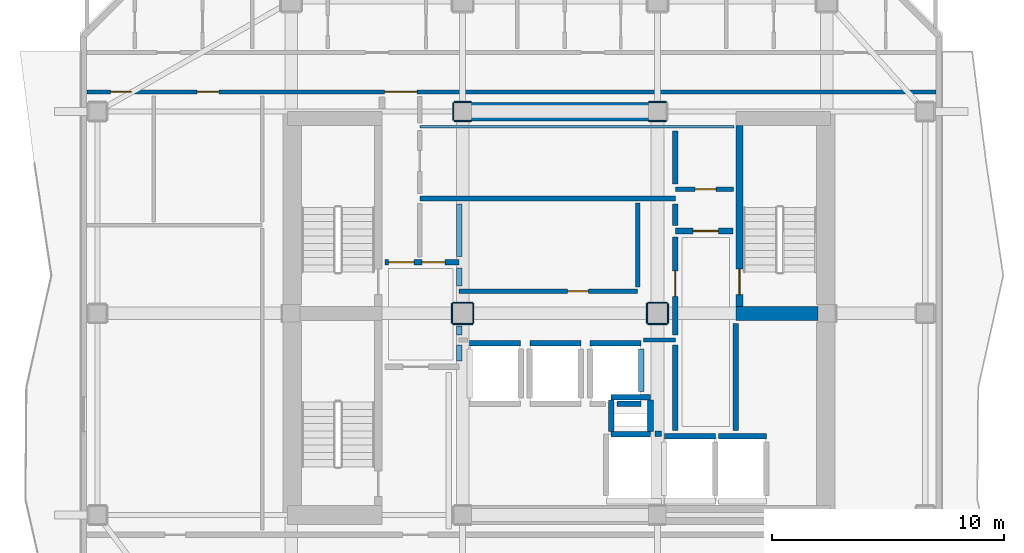
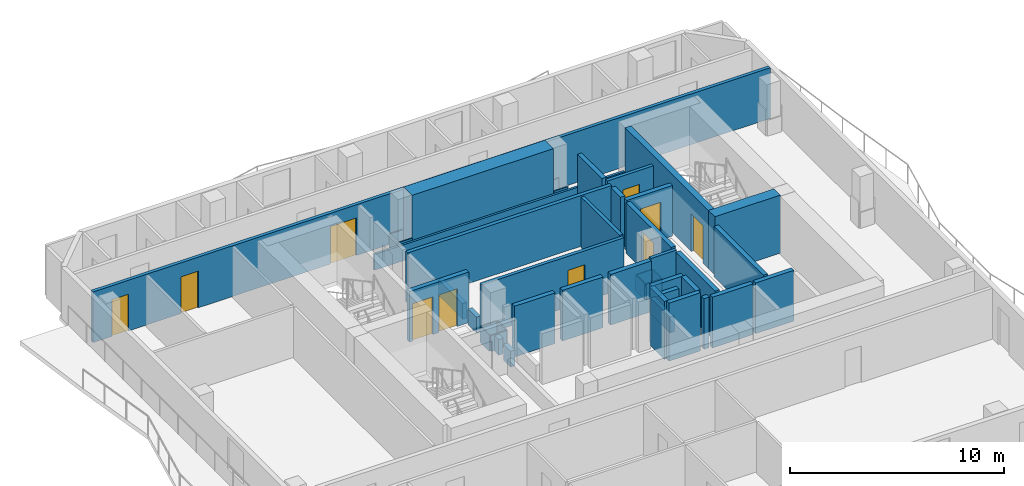
# One storey, part 4 of 10: 46 walls, 10 doors, 10 openings.
"""IFC4 building model written with IfcOpenShell, lengths in metres."""

from ifc_helpers import new_model, si_unit, direction, frame, frame_2d, origin, place, context, subcontext, project, spatial, rectangle, extrude, material, layer, layer_set, type_object, element, fill, save


model = new_model("IFC4")

# Units and contexts
model_context = context("Model", 3, precision=1e-05, world=origin(), true_north=direction((0.0, 1.0)))
body_context = subcontext(model_context, "Body", "Model", "MODEL_VIEW")
ifc_project = project(units=[si_unit("LENGTHUNIT", "METRE"), si_unit("AREAUNIT", "SQUARE_METRE"), si_unit("VOLUMEUNIT", "CUBIC_METRE"), si_unit("PLANEANGLEUNIT", "RADIAN"), si_unit("MASSUNIT", "GRAM", prefix="KILO")], contexts=[model_context])

# Site, building, storey
site_placement = place(None, origin())
site = spatial("IfcSite", under=ifc_project, at=site_placement, CompositionType="ELEMENT")
building_placement = place(site_placement, origin())
building = spatial("IfcBuilding", under=site, at=building_placement, Name="Solanera Arch Residences", CompositionType="ELEMENT")
storey_placement = place(building_placement, frame((0.0, 0.0, 206.760009765625)))
storey = spatial("IfcBuildingStorey", under=building, at=storey_placement, Name="L60", CompositionType="ELEMENT", Elevation=206.760009765625)

# Walls
ifc_material_1 = material(Name="Fire-Rated Gypsum Stud Partition", Category="gypsum")
ifc_layer_1 = layer(ifc_material_1, 0.06005859375)
ifc_layer_set_1 = layer_set([ifc_layer_1], Name="Fire-Rated Gypsum Stud Partition")
wall_type_1 = type_object("IfcWallType", Name="Column Acoustic Furring Wall 60", PredefinedType="PARTITIONING", material=ifc_layer_set_1)
for number, where, z_axis, x_axis, name in (
    (1, (20.425048828125, 38.992919921875, 0.0), (0.0, 0.0, 1.0), (1.0, 0.0, 0.0), "L60 Column Furring 3S"),
    (2, (20.425048828125, 39.806884765625, 0.0), (0.0, 0.0, 1.0), (1.0, 0.0, 0.0), "L60 Column Furring 3N"),
):
    element("IfcWall", number, at=place(storey_placement, frame(where, z_axis=z_axis, x_axis=x_axis)), inside=storey, type_object=wall_type_1, Name=name, PredefinedType="PARTITIONING", context=body_context, shape_type="SweptSolid", body=[
        extrude(rectangle(XDim=0.741943359375, YDim=0.06005859375, at=frame_2d((0.37109375, 0.0))), origin(), (0.0, 0.0, 1.0), 0.905029296875),
    ])
wall_1_placement = place(storey_placement, frame((20.39306640625, 39.02490234375, 0.0), z_axis=(0.0, 0.0, 1.0), x_axis=(0.0, 1.0, 0.0)))
element("IfcWall", 3, at=wall_1_placement, inside=storey, type_object=wall_type_1, Name="L60 Column Furring 3W", PredefinedType="PARTITIONING", context=body_context, shape_type="SweptSolid", body=[
    extrude(rectangle(XDim=0.75, YDim=0.06005859375, at=frame_2d((0.375, 0.0))), origin(), (0.0, 0.0, 1.0), 0.905029296875),
])
for number, where, z_axis, x_axis, name in (
    (4, (28.8330078125, 38.992919921875, 0.0), (0.0, 0.0, 1.0), (1.0, 0.0, 0.0), "L60 Column Furring 4S"),
    (5, (28.8330078125, 39.806884765625, 0.0), (0.0, 0.0, 1.0), (1.0, 0.0, 0.0), "L60 Column Furring 4N"),
):
    element("IfcWall", number, at=place(storey_placement, frame(where, z_axis=z_axis, x_axis=x_axis)), inside=storey, type_object=wall_type_1, Name=name, PredefinedType="PARTITIONING", context=body_context, shape_type="SweptSolid", body=[
        extrude(rectangle(XDim=0.741943359375, YDim=0.06005859375, at=frame_2d((0.37109375, 0.0))), origin(), (0.0, 0.0, 1.0), 0.905029296875),
    ])
for number, where, z_axis, x_axis, name in (
    (6, (20.375, 30.242919921875, 0.0), (0.0, 0.0, 1.0), (1.0, 0.0, 0.0), "L60 Column Furring 7S"),
    (7, (20.375, 31.156982421875, 0.0), (0.0, 0.0, 1.0), (1.0, 0.0, 0.0), "L60 Column Furring 7N"),
    (8, (20.343017578125, 30.27490234375, 0.0), (0.0, 0.0, 1.0), (0.0, 1.0, 0.0), "L60 Column Furring 7W"),
    (9, (21.257080078125, 30.27490234375, 0.0), (0.0, 0.0, 1.0), (0.0, 1.0, 0.0), "L60 Column Furring 7E"),
    (10, (28.77490234375, 30.242919921875, 0.0), (0.0, 0.0, 1.0), (1.0, 0.0, 0.0), "L60 Column Furring 8S"),
):
    element("IfcWall", number, at=place(storey_placement, frame(where, z_axis=z_axis, x_axis=x_axis)), inside=storey, type_object=wall_type_1, Name=name, PredefinedType="PARTITIONING", context=body_context, shape_type="SweptSolid", body=[
        extrude(rectangle(XDim=0.85009765625, YDim=0.06005859375, at=frame_2d((0.425048828125, 0.0))), origin(), (0.0, 0.0, 1.0), 0.905029296875),
    ])
wall_2_placement = place(storey_placement, frame((28.77490234375, 31.156982421875, 0.0), z_axis=(0.0, 0.0, 1.0), x_axis=(1.0, 0.0, 0.0)))
element("IfcWall", 11, at=wall_2_placement, inside=storey, type_object=wall_type_1, Name="L60 Column Furring 8N", PredefinedType="PARTITIONING", context=body_context, shape_type="SweptSolid", body=[
    extrude(rectangle(XDim=0.843017578125, YDim=0.06005859375, at=frame_2d((0.42138671875, 0.0))), origin(), (0.0, 0.0, 1.0), 0.905029296875),
])
wall_3_placement = place(storey_placement, frame((28.742919921875, 30.27490234375, 0.0), z_axis=(0.0, 0.0, 1.0), x_axis=(0.0, 1.0, 0.0)))
element("IfcWall", 12, at=wall_3_placement, inside=storey, type_object=wall_type_1, Name="L60 Column Furring 8W", PredefinedType="PARTITIONING", context=body_context, shape_type="SweptSolid", body=[
    extrude(rectangle(XDim=0.85009765625, YDim=0.06005859375, at=frame_2d((0.425048828125, 0.0))), origin(), (0.0, 0.0, 1.0), 0.905029296875),
])
wall_4_placement = place(storey_placement, frame((29.656982421875, 30.27490234375, 0.0), z_axis=(0.0, 0.0, 1.0), x_axis=(0.0, 1.0, 0.0)))
element("IfcWall", 13, at=wall_4_placement, inside=storey, type_object=wall_type_1, Name="L60 Column Furring 8E", PredefinedType="PARTITIONING", context=body_context, shape_type="SweptSolid", body=[
    extrude(rectangle(XDim=0.837158203125, YDim=0.06005859375, at=frame_2d((0.41845703125, 0.0))), origin(), (0.0, 0.0, 1.0), 0.905029296875),
])

# Wall, opening, door
ifc_material_2 = material(Name="Concrete C40/50 (f'c = 45 MPa)", Category="concrete")
ifc_layer_2 = layer(ifc_material_2, 0.320068359375)
ifc_layer_set_2 = layer_set([ifc_layer_2], Name="Concrete C40/50 (f'c = 45 MPa)")
wall_type_2 = type_object("IfcWallType", Name="Core Shear Wall CW-320", PredefinedType="SHEAR", material=ifc_layer_set_2)
wall_5_placement = place(storey_placement, frame((32.739990234375, 31.0, 0.0), z_axis=(0.0, 0.0, 1.0), x_axis=(0.0, 1.0, 0.0)))
wall_5 = element("IfcWall", 14, at=wall_5_placement, inside=storey, type_object=wall_type_2, Name="L60 Stair ST-T2 West Shear Wall", PredefinedType="SHEAR", context=body_context, shape_type="SweptSolid", body=[
    extrude(rectangle(XDim=7.800048828125, YDim=0.320068359375, at=frame_2d((3.89990234375, 0.0))), origin(), (0.0, 0.0, 1.0), 3.320068359375),
])
opening_1_placement = place(wall_5_placement, frame((0.510009765625, 0.0, 0.0)))
opening_1 = element("IfcOpeningElement", 15, at=opening_1_placement, cuts=wall_5, Name="Opening DF-01", PredefinedType="OPENING", context=body_context, shape_type="SweptSolid", body=[
    extrude(rectangle(XDim=1.10009765625, YDim=2.14990234375, at=frame_2d((0.550048828125, 1.074951171875))), frame((0.0, 0.169921875, 0.0), z_axis=(0.0, -1.0, 0.0), x_axis=(1.0, 0.0, 0.0)), (0.0, 0.0, 1.0), 0.3401),
])
ifc_material_3 = material(Name="Fire-Rated Architectural Hardwood", Category="wood")
door_type_1 = type_object("IfcDoorType", Name="Stair Exit Fire Door DF-01", OperationType="NOTDEFINED", PredefinedType="DOOR", material=ifc_material_3)
door_1_placement = place(opening_1_placement, origin())
door_1 = element("IfcDoor", 16, at=door_1_placement, inside=storey, type_object=door_type_1, Name="DR-L60-STAIR-ST-T2", OperationType="SINGLE_SWING_LEFT", OverallHeight=2.14990234375, OverallWidth=1.10009765625, PredefinedType="DOOR", context=body_context, shape_type="SweptSolid", body=[
    extrude(rectangle(XDim=1.10009765625, YDim=2.14990234375, at=frame_2d((0.550048828125, 1.074951171875))), frame((0.0, 0.02490234375, 0.0), z_axis=(0.0, -1.0, 0.0), x_axis=(1.0, 0.0, 0.0)), (0.0, 0.0, 1.0), 0.050048828125),
])
fill(opening_1, door_1)

# Walls
ifc_material_4 = material(Name="Concrete C40/50 (f'c = 45 MPa)", Category="concrete")
ifc_layer_3 = layer(ifc_material_4, 0.60009765625)
ifc_layer_set_3 = layer_set([ifc_layer_3], Name="Concrete C40/50 (f'c = 45 MPa)")
wall_type_3 = type_object("IfcWallType", Name="Core Shear Wall CW-600", PredefinedType="SHEAR", material=ifc_layer_set_3)
wall_6_placement = place(storey_placement, frame((32.580078125, 30.699951171875, 0.0), z_axis=(0.0, 0.0, 1.0), x_axis=(1.0, 0.0, 0.0)))
element("IfcWall", 17, at=wall_6_placement, inside=storey, type_object=wall_type_3, Name="L60 East Stair Far-Landing Shear Wall", PredefinedType="SHEAR", context=body_context, shape_type="SweptSolid", body=[
    extrude(rectangle(XDim=3.5400390625, YDim=0.60009765625, at=frame_2d((1.77001953125, 0.0))), origin(), (0.0, 0.0, 1.0), 3.320068359375),
])
ifc_material_5 = material(Name="Concrete C40/50 (f'c = 45 MPa)", Category="concrete")
ifc_layer_4 = layer(ifc_material_5, 0.800048828125)
ifc_layer_set_4 = layer_set([ifc_layer_4], Name="Concrete C40/50 (f'c = 45 MPa)")
wall_type_4 = type_object("IfcWallType", Name="Core Shear Wall CW-800", PredefinedType="SHEAR", material=ifc_layer_set_4)
wall_7_placement = place(storey_placement, frame((21.179931640625, 39.39990234375, 0.0), z_axis=(0.0, 0.0, 1.0), x_axis=(1.0, 0.0, 0.0)))
element("IfcWall", 18, at=wall_7_placement, inside=storey, type_object=wall_type_4, Name="L60 Central North Core Shear Wall", PredefinedType="SHEAR", context=body_context, shape_type="SweptSolid", body=[
    extrude(rectangle(XDim=7.64013671875, YDim=0.800048828125, at=frame_2d((3.820068359375, 0.0))), origin(), (0.0, 0.0, 1.0), 3.320068359375),
])
ifc_material_6 = material(Name="Autoclaved Aerated Concrete Blockwork", Category="masonry")
ifc_layer_5 = layer(ifc_material_6, 0.179931640625)
ifc_layer_set_5 = layer_set([ifc_layer_5], Name="Autoclaved Aerated Concrete Blockwork")
wall_type_5 = type_object("IfcWallType", Name="Corridor Fire Partition 180", PredefinedType="PARTITIONING", material=ifc_layer_set_5)
wall_8_placement = place(storey_placement, frame((28.593017578125, 29.550048828125, 0.0), z_axis=(0.0, 0.0, 1.0), x_axis=(1.0, 0.0, 0.0)))
element("IfcWall", 19, at=wall_8_placement, inside=storey, type_object=wall_type_5, Name="L60 Interior Partition H8 2", PredefinedType="PARTITIONING", context=body_context, shape_type="SweptSolid", body=[
    extrude(rectangle(XDim=1.382080078125, YDim=0.179931640625, at=frame_2d((0.69091796875, 0.0))), origin(), (0.0, 0.0, 1.0), 2.89990234375),
])

# Wall, opening, door
wall_9_placement = place(storey_placement, frame((20.64990234375, 31.64990234375, 0.0), z_axis=(0.0, 0.0, 1.0), x_axis=(1.0, 0.0, 0.0)))
wall_9 = element("IfcWall", 20, at=wall_9_placement, inside=storey, type_object=wall_type_5, Name="L60 Interior Partition H9", PredefinedType="PARTITIONING", context=body_context, shape_type="SweptSolid", body=[
    extrude(rectangle(XDim=7.7001953125, YDim=0.179931640625, at=frame_2d((3.85009765625, 0.0))), origin(), (0.0, 0.0, 1.0), 2.89990234375),
])
opening_2_placement = place(wall_9_placement, frame((4.673095703125, 0.0, 0.0)))
opening_2 = element("IfcOpeningElement", 21, at=opening_2_placement, cuts=wall_9, Name="Opening DI-02", PredefinedType="OPENING", context=body_context, shape_type="SweptSolid", body=[
    extrude(rectangle(XDim=0.89990234375, YDim=2.10009765625, at=frame_2d((0.449951171875, 1.050048828125))), frame((0.0, 0.10009765625, 0.0), z_axis=(0.0, -1.0, 0.0), x_axis=(1.0, 0.0, 0.0)), (0.0, 0.0, 1.0), 0.1999),
])
ifc_material_7 = material(Name="Fire-Rated Architectural Hardwood", Category="wood")
door_type_2 = type_object("IfcDoorType", Name="Suite Room Swing Door DI-02", OperationType="NOTDEFINED", PredefinedType="DOOR", material=ifc_material_7)
door_2_placement = place(opening_2_placement, origin())
door_2 = element("IfcDoor", 22, at=door_2_placement, inside=storey, type_object=door_type_2, Name="DR-L60-IN-013", OperationType="SINGLE_SWING_RIGHT", OverallHeight=2.10009765625, OverallWidth=0.89990234375, PredefinedType="DOOR", context=body_context, shape_type="SweptSolid", body=[
    extrude(rectangle(XDim=0.89990234375, YDim=2.10009765625, at=frame_2d((0.449951171875, 1.050048828125))), frame((0.0, 0.02490234375, 0.0), z_axis=(0.0, -1.0, 0.0), x_axis=(1.0, 0.0, 0.0)), (0.0, 0.0, 1.0), 0.050048828125),
])
fill(opening_2, door_2)

wall_10_placement = place(storey_placement, frame((29.97509765625, 36.050048828125, 0.0), z_axis=(0.0, 0.0, 1.0), x_axis=(1.0, 0.0, 0.0)))
wall_10 = element("IfcWall", 23, at=wall_10_placement, inside=storey, type_object=wall_type_5, Name="L60 Interior Partition H10", PredefinedType="PARTITIONING", context=body_context, shape_type="SweptSolid", body=[
    extrude(rectangle(XDim=2.5048828125, YDim=0.179931640625, at=frame_2d((1.25244140625, 0.0))), origin(), (0.0, 0.0, 1.0), 2.89990234375),
])
opening_3_placement = place(wall_10_placement, frame((0.85205078125, 0.0, 0.0)))
opening_3 = element("IfcOpeningElement", 24, at=opening_3_placement, cuts=wall_10, Name="Opening DI-02", PredefinedType="OPENING", context=body_context, shape_type="SweptSolid", body=[
    extrude(rectangle(XDim=0.89990234375, YDim=2.10009765625, at=frame_2d((0.449951171875, 1.050048828125))), frame((0.0, 0.10009765625, 0.0), z_axis=(0.0, -1.0, 0.0), x_axis=(1.0, 0.0, 0.0)), (0.0, 0.0, 1.0), 0.1999),
])
door_3_placement = place(opening_3_placement, origin())
door_3 = element("IfcDoor", 25, at=door_3_placement, inside=storey, type_object=door_type_2, Name="DR-L60-IN-011", OperationType="SINGLE_SWING_RIGHT", OverallHeight=2.10009765625, OverallWidth=0.89990234375, PredefinedType="DOOR", context=body_context, shape_type="SweptSolid", body=[
    extrude(rectangle(XDim=0.89990234375, YDim=2.10009765625, at=frame_2d((0.449951171875, 1.050048828125))), frame((0.0, 0.02490234375, 0.0), z_axis=(0.0, -1.0, 0.0), x_axis=(1.0, 0.0, 0.0)), (0.0, 0.0, 1.0), 0.050048828125),
])
fill(opening_3, door_3)

# Wall, openings, doors
wall_11_placement = place(storey_placement, frame((4.5869140625, 40.25, 0.0), z_axis=(0.0, 0.0, 1.0), x_axis=(1.0, 0.0, 0.0)))
wall_11 = element("IfcWall", 26, at=wall_11_placement, inside=storey, type_object=wall_type_5, Name="L60 Interior Partition H11", PredefinedType="PARTITIONING", context=body_context, shape_type="SweptSolid", body=[
    extrude(rectangle(XDim=36.6259765625, YDim=0.179931640625, at=frame_2d((18.31298828125, 0.0))), origin(), (0.0, 0.0, 1.0), 2.89990234375),
])
opening_4_placement = place(wall_11_placement, frame((12.847900390625, 0.0, 0.0)))
opening_4 = element("IfcOpeningElement", 27, at=opening_4_placement, cuts=wall_11, Name="Opening DF-03", PredefinedType="OPENING", context=body_context, shape_type="SweptSolid", body=[
    extrude(rectangle(XDim=1.39990234375, YDim=2.14990234375, at=frame_2d((0.699951171875, 1.074951171875))), frame((0.0, 0.10009765625, 0.0), z_axis=(0.0, -1.0, 0.0), x_axis=(1.0, 0.0, 0.0)), (0.0, 0.0, 1.0), 0.1999),
])
opening_5_placement = place(wall_11_placement, frame((1.02099609375, 0.0, 0.0)))
opening_5 = element("IfcOpeningElement", 28, at=opening_5_placement, cuts=wall_11, Name="Opening DI-02", PredefinedType="OPENING", context=body_context, shape_type="SweptSolid", body=[
    extrude(rectangle(XDim=0.89990234375, YDim=2.10009765625, at=frame_2d((0.449951171875, 1.050048828125))), frame((0.0, 0.10009765625, 0.0), z_axis=(0.0, -1.0, 0.0), x_axis=(1.0, 0.0, 0.0)), (0.0, 0.0, 1.0), 0.1999),
])
opening_6_placement = place(wall_11_placement, frame((4.748046875, 0.0, 0.0)))
opening_6 = element("IfcOpeningElement", 29, at=opening_6_placement, cuts=wall_11, Name="Opening DI-04", PredefinedType="OPENING", context=body_context, shape_type="SweptSolid", body=[
    extrude(rectangle(XDim=0.949951171875, YDim=2.10009765625, at=frame_2d((0.47509765625, 1.050048828125))), frame((0.0, 0.10009765625, 0.0), z_axis=(0.0, -1.0, 0.0), x_axis=(1.0, 0.0, 0.0)), (0.0, 0.0, 1.0), 0.1999),
])
ifc_material_8 = material(Name="Fire-Rated Architectural Hardwood", Category="wood")
door_type_3 = type_object("IfcDoorType", Name="Accessible Restroom Door DI-04", OperationType="NOTDEFINED", PredefinedType="DOOR", material=ifc_material_8)
door_4_placement = place(opening_6_placement, origin())
door_4 = element("IfcDoor", 30, at=door_4_placement, inside=storey, type_object=door_type_3, Name="DR-L60-IN-036", OperationType="SINGLE_SWING_LEFT", OverallHeight=2.10009765625, OverallWidth=0.949951171875, PredefinedType="DOOR", context=body_context, shape_type="SweptSolid", body=[
    extrude(rectangle(XDim=0.949951171875, YDim=2.10009765625, at=frame_2d((0.47509765625, 1.050048828125))), frame((0.0, 0.02490234375, 0.0), z_axis=(0.0, -1.0, 0.0), x_axis=(1.0, 0.0, 0.0)), (0.0, 0.0, 1.0), 0.050048828125),
])
fill(opening_6, door_4)
ifc_material_9 = material(Name="Fire-Rated Architectural Hardwood", Category="wood")
door_type_4 = type_object("IfcDoorType", Name="Corridor Smoke Door DF-03", OperationType="NOTDEFINED", PredefinedType="DOOR", material=ifc_material_9)
door_5_placement = place(opening_4_placement, origin())
door_5 = element("IfcDoor", 31, at=door_5_placement, inside=storey, type_object=door_type_4, Name="DR-L60-IN-009", OperationType="SINGLE_SWING_RIGHT", OverallHeight=2.14990234375, OverallWidth=1.39990234375, PredefinedType="DOOR", context=body_context, shape_type="SweptSolid", body=[
    extrude(rectangle(XDim=1.39990234375, YDim=2.14990234375, at=frame_2d((0.699951171875, 1.074951171875))), frame((0.0, 0.02490234375, 0.0), z_axis=(0.0, -1.0, 0.0), x_axis=(1.0, 0.0, 0.0)), (0.0, 0.0, 1.0), 0.050048828125),
])
fill(opening_4, door_5)
door_6_placement = place(opening_5_placement, origin())
door_6 = element("IfcDoor", 32, at=door_6_placement, inside=storey, type_object=door_type_2, Name="DR-L60-IN-035", OperationType="SINGLE_SWING_RIGHT", OverallHeight=2.10009765625, OverallWidth=0.89990234375, PredefinedType="DOOR", context=body_context, shape_type="SweptSolid", body=[
    extrude(rectangle(XDim=0.89990234375, YDim=2.10009765625, at=frame_2d((0.449951171875, 1.050048828125))), frame((0.0, 0.02490234375, 0.0), z_axis=(0.0, -1.0, 0.0), x_axis=(1.0, 0.0, 0.0)), (0.0, 0.0, 1.0), 0.050048828125),
])
fill(opening_5, door_6)

# Walls
wall_12_placement = place(storey_placement, frame((28.35009765625, 31.837890625, 0.0), z_axis=(0.0, 0.0, 1.0), x_axis=(0.0, 1.0, 0.0)))
element("IfcWall", 33, at=wall_12_placement, inside=storey, type_object=wall_type_5, Name="L60 Interior Partition V8", PredefinedType="PARTITIONING", context=body_context, shape_type="SweptSolid", body=[
    extrude(rectangle(XDim=3.614013671875, YDim=0.179931640625, at=frame_2d((1.80712890625, 0.0))), origin(), (0.0, 0.0, 1.0), 2.89990234375),
])
ifc_material_10 = material(Name="Autoclaved Aerated Concrete Blockwork", Category="masonry")
ifc_layer_6 = layer(ifc_material_10, 0.199951171875)
ifc_layer_set_6 = layer_set([ifc_layer_6], Name="Autoclaved Aerated Concrete Blockwork")
wall_type_6 = type_object("IfcWallType", Name="Party Wall Acoustic 200", PredefinedType="PARTITIONING", material=ifc_layer_set_6)
wall_13_placement = place(storey_placement, frame((18.949951171875, 35.64990234375, 0.0), z_axis=(0.0, 0.0, 1.0), x_axis=(1.0, 0.0, 0.0)))
element("IfcWall", 34, at=wall_13_placement, inside=storey, type_object=wall_type_6, Name="L60 Interior Partition H6", PredefinedType="PARTITIONING", context=body_context, shape_type="SweptSolid", body=[
    extrude(rectangle(XDim=11.025146484375, YDim=0.199951171875, at=frame_2d((5.5126953125, 0.0))), origin(), (0.0, 0.0, 1.0), 2.89990234375),
])
ifc_material_11 = material(Name="Concrete C40/50 (f'c = 45 MPa)", Category="concrete")
ifc_layer_7 = layer(ifc_material_11, 0.239990234375)
ifc_layer_set_7 = layer_set([ifc_layer_7], Name="Concrete C40/50 (f'c = 45 MPa)")
wall_type_7 = type_object("IfcWallType", Name="Ramp Bearing Shear Wall RW-240", PredefinedType="SHEAR", material=ifc_layer_set_7)
for number, where, z_axis, x_axis, name in (
    (35, (27.199951171875, 25.47998046875, 0.0), (0.0, 0.0, 1.0), (1.0, 0.0, 0.0), "L60 Core MEP Riser South Shaft Wall"),
    (36, (27.199951171875, 27.080078125, 0.0), (0.0, 0.0, 1.0), (1.0, 0.0, 0.0), "L60 Core MEP Riser North Shaft Wall"),
):
    element("IfcWall", number, at=place(storey_placement, frame(where, z_axis=z_axis, x_axis=x_axis)), inside=storey, type_object=wall_type_7, Name=name, PredefinedType="SHEAR", context=body_context, shape_type="SweptSolid", body=[
        extrude(rectangle(XDim=1.699951171875, YDim=0.239990234375, at=frame_2d((0.85009765625, 0.0))), origin(), (0.0, 0.0, 1.0), 3.320068359375),
    ])
for number, where, z_axis, x_axis, name in (
    (37, (27.199951171875, 25.60009765625, 0.0), (0.0, 0.0, 1.0), (0.0, 1.0, 0.0), "L60 Core MEP Riser West Shaft Wall"),
    (38, (28.89990234375, 25.60009765625, 0.0), (0.0, 0.0, 1.0), (0.0, 1.0, 0.0), "L60 Core MEP Riser East Shaft Wall"),
):
    element("IfcWall", number, at=place(storey_placement, frame(where, z_axis=z_axis, x_axis=x_axis)), inside=storey, type_object=wall_type_7, Name=name, PredefinedType="SHEAR", context=body_context, shape_type="SweptSolid", body=[
        extrude(rectangle(XDim=1.35986328125, YDim=0.239990234375, at=frame_2d((0.679931640625, 0.0))), origin(), (0.0, 0.0, 1.0), 3.320068359375),
    ])
ifc_material_12 = material(Name="Autoclaved Aerated Concrete Blockwork", Category="masonry")
ifc_layer_8 = layer(ifc_material_12, 0.239990234375)
ifc_layer_set_8 = layer_set([ifc_layer_8], Name="Autoclaved Aerated Concrete Blockwork")
wall_type_8 = type_object("IfcWallType", Name="Shaft Wall Fire-Rated 240", PredefinedType="PARTITIONING", material=ifc_layer_set_8)
for number, where, z_axis, x_axis, name in (
    (39, (21.10009765625, 29.39990234375, 0.0), (0.0, 0.0, 1.0), (1.0, 0.0, 0.0), "L60 Lift PL-H1 Hoistway Wall N"),
    (40, (23.699951171875, 29.39990234375, 0.0), (0.0, 0.0, 1.0), (1.0, 0.0, 0.0), "L60 Lift PL-H2 Hoistway Wall N"),
):
    element("IfcWall", number, at=place(storey_placement, frame(where, z_axis=z_axis, x_axis=x_axis)), inside=storey, type_object=wall_type_8, Name=name, PredefinedType="PARTITIONING", context=body_context, shape_type="SweptSolid", body=[
        extrude(rectangle(XDim=2.199951171875, YDim=0.239990234375, at=frame_2d((1.10009765625, 0.0))), origin(), (0.0, 0.0, 1.0), 2.89990234375),
    ])
wall_14_placement = place(storey_placement, frame((27.449951171875, 26.800048828125, 0.0), z_axis=(0.0, 0.0, 1.0), x_axis=(1.0, 0.0, 0.0)))
element("IfcWall", 41, at=wall_14_placement, inside=storey, type_object=wall_type_8, Name="L60 Lift PL-H3 Hoistway Wall S 2", PredefinedType="PARTITIONING", context=body_context, shape_type="SweptSolid", body=[
    extrude(rectangle(XDim=1.050048828125, YDim=0.239990234375, at=frame_2d((0.52490234375, 0.0))), origin(), (0.0, 0.0, 1.0), 2.89990234375),
])
wall_15_placement = place(storey_placement, frame((26.300048828125, 29.39990234375, 0.0), z_axis=(0.0, 0.0, 1.0), x_axis=(1.0, 0.0, 0.0)))
element("IfcWall", 42, at=wall_15_placement, inside=storey, type_object=wall_type_8, Name="L60 Lift PL-H3 Hoistway Wall N", PredefinedType="PARTITIONING", context=body_context, shape_type="SweptSolid", body=[
    extrude(rectangle(XDim=2.199951171875, YDim=0.239990234375, at=frame_2d((1.10009765625, 0.0))), origin(), (0.0, 0.0, 1.0), 2.89990234375),
])
wall_16_placement = place(storey_placement, frame((28.5, 27.330078125, 0.0), z_axis=(0.0, 0.0, 1.0), x_axis=(0.0, 1.0, 0.0)))
element("IfcWall", 43, at=wall_16_placement, inside=storey, type_object=wall_type_8, Name="L60 Lift PL-H3 Hoistway Wall E", PredefinedType="PARTITIONING", context=body_context, shape_type="SweptSolid", body=[
    extrude(rectangle(XDim=1.822021484375, YDim=0.239990234375, at=frame_2d((0.9111328125, 0.0))), origin(), (0.0, 0.0, 1.0), 0.905029296875),
])
wall_17_placement = place(storey_placement, frame((29.5, 25.39990234375, 0.0), z_axis=(0.0, 0.0, 1.0), x_axis=(1.0, 0.0, 0.0)))
element("IfcWall", 44, at=wall_17_placement, inside=storey, type_object=wall_type_8, Name="L60 Lift FFL-1 Hoistway Wall N", PredefinedType="PARTITIONING", context=body_context, shape_type="SweptSolid", body=[
    extrude(rectangle(XDim=2.199951171875, YDim=0.239990234375, at=frame_2d((1.10009765625, 0.0))), origin(), (0.0, 0.0, 1.0), 2.89990234375),
])
wall_18_placement = place(storey_placement, frame((31.827880859375, 25.39990234375, 0.0), z_axis=(0.0, 0.0, 1.0), x_axis=(1.0, 0.0, 0.0)))
element("IfcWall", 45, at=wall_18_placement, inside=storey, type_object=wall_type_8, Name="L60 Lift FFL-2 Hoistway Wall N", PredefinedType="PARTITIONING", context=body_context, shape_type="SweptSolid", body=[
    extrude(rectangle(XDim=2.072021484375, YDim=0.239990234375, at=frame_2d((1.0361328125, 0.0))), origin(), (0.0, 0.0, 1.0), 2.89990234375),
])
wall_19_placement = place(storey_placement, frame((29.10302734375, 25.5, 0.0), z_axis=(0.0, 0.0, 1.0), x_axis=(1.0, 0.0, 0.0)))
element("IfcWall", 46, at=wall_19_placement, inside=storey, type_object=wall_type_8, Name="L60 Lift SVL-1 Hoistway Wall N", PredefinedType="PARTITIONING", context=body_context, shape_type="SweptSolid", body=[
    extrude(rectangle(XDim=0.26904296875, YDim=0.239990234375, at=frame_2d((0.134521484375, 0.0))), origin(), (0.0, 0.0, 1.0), 2.89990234375),
])

# Wall, openings, doors
wall_20_placement = place(storey_placement, frame((17.449951171875, 32.89990234375, 0.0), z_axis=(0.0, 0.0, 1.0), x_axis=(1.0, 0.0, 0.0)))
wall_20 = element("IfcWall", 47, at=wall_20_placement, inside=storey, type_object=wall_type_8, Name="L60 Interior Partition H4", PredefinedType="PARTITIONING", context=body_context, shape_type="SweptSolid", body=[
    extrude(rectangle(XDim=3.199951171875, YDim=0.239990234375, at=frame_2d((1.60009765625, 0.0))), origin(), (0.0, 0.0, 1.0), 2.89990234375),
])
opening_7_placement = place(wall_20_placement, frame((0.158935546875, 0.0, 0.0)))
opening_7 = element("IfcOpeningElement", 48, at=opening_7_placement, cuts=wall_20, Name="Opening DF-02", PredefinedType="OPENING", context=body_context, shape_type="SweptSolid", body=[
    extrude(rectangle(XDim=1.10009765625, YDim=2.14990234375, at=frame_2d((0.550048828125, 1.074951171875))), frame((0.0, 0.1298828125, 0.0), z_axis=(0.0, -1.0, 0.0), x_axis=(1.0, 0.0, 0.0)), (0.0, 0.0, 1.0), 0.26),
])
opening_8_placement = place(wall_20_placement, frame((1.5859375, 0.0, 0.0)))
opening_8 = element("IfcOpeningElement", 49, at=opening_8_placement, cuts=wall_20, Name="Opening DI-01", PredefinedType="OPENING", context=body_context, shape_type="SweptSolid", body=[
    extrude(rectangle(XDim=1.0, YDim=2.14990234375, at=frame_2d((0.5, 1.074951171875))), frame((0.0, 0.1298828125, 0.0), z_axis=(0.0, -1.0, 0.0), x_axis=(1.0, 0.0, 0.0)), (0.0, 0.0, 1.0), 0.26),
])
ifc_material_13 = material(Name="Fire-Rated Architectural Hardwood", Category="wood")
door_type_5 = type_object("IfcDoorType", Name="Firefighting Lobby Fire Door DF-02", OperationType="NOTDEFINED", PredefinedType="DOOR", material=ifc_material_13)
door_7_placement = place(opening_7_placement, origin())
door_7 = element("IfcDoor", 50, at=door_7_placement, inside=storey, type_object=door_type_5, Name="DR-L60-IN-005", OperationType="SINGLE_SWING_RIGHT", OverallHeight=2.14990234375, OverallWidth=1.10009765625, PredefinedType="DOOR", context=body_context, shape_type="SweptSolid", body=[
    extrude(rectangle(XDim=1.10009765625, YDim=2.14990234375, at=frame_2d((0.550048828125, 1.074951171875))), frame((0.0, 0.02490234375, 0.0), z_axis=(0.0, -1.0, 0.0), x_axis=(1.0, 0.0, 0.0)), (0.0, 0.0, 1.0), 0.050048828125),
])
fill(opening_7, door_7)
ifc_material_14 = material(Name="Fire-Rated Architectural Hardwood", Category="wood")
door_type_6 = type_object("IfcDoorType", Name="Unit Entrance Fire Door DI-01", OperationType="NOTDEFINED", PredefinedType="DOOR", material=ifc_material_14)
door_8_placement = place(opening_8_placement, origin())
door_8 = element("IfcDoor", 51, at=door_8_placement, inside=storey, type_object=door_type_6, Name="DR-L60-IN-010", OperationType="SINGLE_SWING_LEFT", OverallHeight=2.14990234375, OverallWidth=1.0, PredefinedType="DOOR", context=body_context, shape_type="SweptSolid", body=[
    extrude(rectangle(XDim=1.0, YDim=2.14990234375, at=frame_2d((0.5, 1.074951171875))), frame((0.0, 0.02490234375, 0.0), z_axis=(0.0, -1.0, 0.0), x_axis=(1.0, 0.0, 0.0)), (0.0, 0.0, 1.0), 0.050048828125),
])
fill(opening_8, door_8)

# Wall, opening, door
wall_21_placement = place(storey_placement, frame((29.97509765625, 34.25, 0.0), z_axis=(0.0, 0.0, 1.0), x_axis=(1.0, 0.0, 0.0)))
wall_21 = element("IfcWall", 52, at=wall_21_placement, inside=storey, type_object=wall_type_8, Name="L60 Interior Partition H5", PredefinedType="PARTITIONING", context=body_context, shape_type="SweptSolid", body=[
    extrude(rectangle(XDim=2.474853515625, YDim=0.239990234375, at=frame_2d((1.2373046875, 0.0))), origin(), (0.0, 0.0, 1.0), 2.89990234375),
])
opening_9_placement = place(wall_21_placement, frame((0.751953125, 0.0, 0.0)))
opening_9 = element("IfcOpeningElement", 53, at=opening_9_placement, cuts=wall_21, Name="Opening DF-02", PredefinedType="OPENING", context=body_context, shape_type="SweptSolid", body=[
    extrude(rectangle(XDim=1.10009765625, YDim=2.14990234375, at=frame_2d((0.550048828125, 1.074951171875))), frame((0.0, 0.1298828125, 0.0), z_axis=(0.0, -1.0, 0.0), x_axis=(1.0, 0.0, 0.0)), (0.0, 0.0, 1.0), 0.26),
])
door_9_placement = place(opening_9_placement, origin())
door_9 = element("IfcDoor", 54, at=door_9_placement, inside=storey, type_object=door_type_5, Name="DR-L60-IN-007", OperationType="SINGLE_SWING_RIGHT", OverallHeight=2.14990234375, OverallWidth=1.10009765625, PredefinedType="DOOR", context=body_context, shape_type="SweptSolid", body=[
    extrude(rectangle(XDim=1.10009765625, YDim=2.14990234375, at=frame_2d((0.550048828125, 1.074951171875))), frame((0.0, 0.02490234375, 0.0), z_axis=(0.0, -1.0, 0.0), x_axis=(1.0, 0.0, 0.0)), (0.0, 0.0, 1.0), 0.050048828125),
])
fill(opening_9, door_9)

# Walls
wall_22_placement = place(storey_placement, frame((20.64990234375, 28.64794921875, 0.0), z_axis=(0.0, 0.0, 1.0), x_axis=(0.0, 1.0, 0.0)))
element("IfcWall", 55, at=wall_22_placement, inside=storey, type_object=wall_type_8, Name="L60 Interior Partition V3 1", PredefinedType="PARTITIONING", context=body_context, shape_type="SweptSolid", body=[
    extrude(rectangle(XDim=0.68408203125, YDim=0.239990234375, at=frame_2d((0.342041015625, 0.0))), origin(), (0.0, 0.0, 1.0), 0.905029296875),
])
wall_23_placement = place(storey_placement, frame((20.64990234375, 29.76806640625, 0.0), z_axis=(0.0, 0.0, 1.0), x_axis=(0.0, 1.0, 0.0)))
element("IfcWall", 56, at=wall_23_placement, inside=storey, type_object=wall_type_8, Name="L60 Interior Partition V3 2", PredefinedType="PARTITIONING", context=body_context, shape_type="SweptSolid", body=[
    extrude(rectangle(XDim=0.375, YDim=0.239990234375, at=frame_2d((0.1875, 0.0))), origin(), (0.0, 0.0, 1.0), 0.905029296875),
])
wall_24_placement = place(storey_placement, frame((20.64990234375, 31.867919921875, 0.0), z_axis=(0.0, 0.0, 1.0), x_axis=(0.0, 1.0, 0.0)))
element("IfcWall", 57, at=wall_24_placement, inside=storey, type_object=wall_type_8, Name="L60 Interior Partition V3 3", PredefinedType="PARTITIONING", context=body_context, shape_type="SweptSolid", body=[
    extrude(rectangle(XDim=0.7841796875, YDim=0.239990234375, at=frame_2d((0.39208984375, 0.0))), origin(), (0.0, 0.0, 1.0), 0.905029296875),
])
wall_25_placement = place(storey_placement, frame((20.64990234375, 33.14794921875, 0.0), z_axis=(0.0, 0.0, 1.0), x_axis=(0.0, 1.0, 0.0)))
element("IfcWall", 58, at=wall_25_placement, inside=storey, type_object=wall_type_8, Name="L60 Interior Partition V3 4", PredefinedType="PARTITIONING", context=body_context, shape_type="SweptSolid", body=[
    extrude(rectangle(XDim=2.274169921875, YDim=0.239990234375, at=frame_2d((1.13720703125, 0.0))), origin(), (0.0, 0.0, 1.0), 0.905029296875),
])
wall_26_placement = place(storey_placement, frame((29.97509765625, 25.64794921875, 0.0), z_axis=(0.0, 0.0, 1.0), x_axis=(0.0, 1.0, 0.0)))
element("IfcWall", 59, at=wall_26_placement, inside=storey, type_object=wall_type_8, Name="L60 Interior Partition V4 1", PredefinedType="PARTITIONING", context=body_context, shape_type="SweptSolid", body=[
    extrude(rectangle(XDim=3.68408203125, YDim=0.239990234375, at=frame_2d((1.842041015625, 0.0))), origin(), (0.0, 0.0, 1.0), 2.89990234375),
])

# Wall, opening, door
wall_27_placement = place(storey_placement, frame((29.97509765625, 29.76806640625, 0.0), z_axis=(0.0, 0.0, 1.0), x_axis=(0.0, 1.0, 0.0)))
wall_27 = element("IfcWall", 60, at=wall_27_placement, inside=storey, type_object=wall_type_8, Name="L60 Interior Partition V4 2", PredefinedType="PARTITIONING", context=body_context, shape_type="SweptSolid", body=[
    extrude(rectangle(XDim=4.23388671875, YDim=0.239990234375, at=frame_2d((2.116943359375, 0.0))), origin(), (0.0, 0.0, 1.0), 2.89990234375),
])
opening_10_placement = place(wall_27_placement, frame((1.662109375, 0.0, 0.0)))
opening_10 = element("IfcOpeningElement", 61, at=opening_10_placement, cuts=wall_27, Name="Opening DF-02", PredefinedType="OPENING", context=body_context, shape_type="SweptSolid", body=[
    extrude(rectangle(XDim=1.10009765625, YDim=2.14990234375, at=frame_2d((0.550048828125, 1.074951171875))), frame((0.0, 0.1298828125, 0.0), z_axis=(0.0, -1.0, 0.0), x_axis=(1.0, 0.0, 0.0)), (0.0, 0.0, 1.0), 0.26),
])
door_10_placement = place(opening_10_placement, origin())
door_10 = element("IfcDoor", 62, at=door_10_placement, inside=storey, type_object=door_type_5, Name="DR-L60-IN-006", OperationType="SINGLE_SWING_LEFT", OverallHeight=2.14990234375, OverallWidth=1.10009765625, PredefinedType="DOOR", context=body_context, shape_type="SweptSolid", body=[
    extrude(rectangle(XDim=1.10009765625, YDim=2.14990234375, at=frame_2d((0.550048828125, 1.074951171875))), frame((0.0, 0.02490234375, 0.0), z_axis=(0.0, -1.0, 0.0), x_axis=(1.0, 0.0, 0.0)), (0.0, 0.0, 1.0), 0.050048828125),
])
fill(opening_10, door_10)

# Walls
wall_28_placement = place(storey_placement, frame((29.97509765625, 34.498046875, 0.0), z_axis=(0.0, 0.0, 1.0), x_axis=(0.0, 1.0, 0.0)))
element("IfcWall", 63, at=wall_28_placement, inside=storey, type_object=wall_type_8, Name="L60 Interior Partition V4 3", PredefinedType="PARTITIONING", context=body_context, shape_type="SweptSolid", body=[
    extrude(rectangle(XDim=0.924072265625, YDim=0.239990234375, at=frame_2d((0.4619140625, 0.0))), origin(), (0.0, 0.0, 1.0), 2.89990234375),
])
wall_29_placement = place(storey_placement, frame((29.97509765625, 36.26806640625, 0.0), z_axis=(0.0, 0.0, 1.0), x_axis=(0.0, 1.0, 0.0)))
element("IfcWall", 64, at=wall_29_placement, inside=storey, type_object=wall_type_8, Name="L60 Interior Partition V4 4", PredefinedType="PARTITIONING", context=body_context, shape_type="SweptSolid", body=[
    extrude(rectangle(XDim=2.2939453125, YDim=0.239990234375, at=frame_2d((1.14697265625, 0.0))), origin(), (0.0, 0.0, 1.0), 2.89990234375),
])
wall_30_placement = place(storey_placement, frame((32.580078125, 25.64794921875, 0.0), z_axis=(0.0, 0.0, 1.0), x_axis=(0.0, 1.0, 0.0)))
element("IfcWall", 65, at=wall_30_placement, inside=storey, type_object=wall_type_8, Name="L60 Interior Partition V5", PredefinedType="PARTITIONING", context=body_context, shape_type="SweptSolid", body=[
    extrude(rectangle(XDim=4.6220703125, YDim=0.239990234375, at=frame_2d((2.31103515625, 0.0))), origin(), (0.0, 0.0, 1.0), 2.89990234375),
])
ifc_material_15 = material(Name="Fire-Rated Gypsum Stud Partition", Category="gypsum")
ifc_layer_9 = layer(ifc_material_15, 0.1201171875)
ifc_layer_set_9 = layer_set([ifc_layer_9], Name="Fire-Rated Gypsum Stud Partition")
wall_type_9 = type_object("IfcWallType", Name="Unit Drywall Partition 120", PredefinedType="PARTITIONING", material=ifc_layer_set_9)
wall_31_placement = place(storey_placement, frame((18.949951171875, 38.75, 0.0), z_axis=(0.0, 0.0, 1.0), x_axis=(1.0, 0.0, 0.0)))
element("IfcWall", 66, at=wall_31_placement, inside=storey, type_object=wall_type_9, Name="L60 Interior Partition H18", PredefinedType="PARTITIONING", context=body_context, shape_type="SweptSolid", body=[
    extrude(rectangle(XDim=13.56005859375, YDim=0.1201171875, at=frame_2d((6.780029296875, 0.0))), origin(), (0.0, 0.0, 1.0), 0.905029296875),
])

save(model, "model.ifc")
